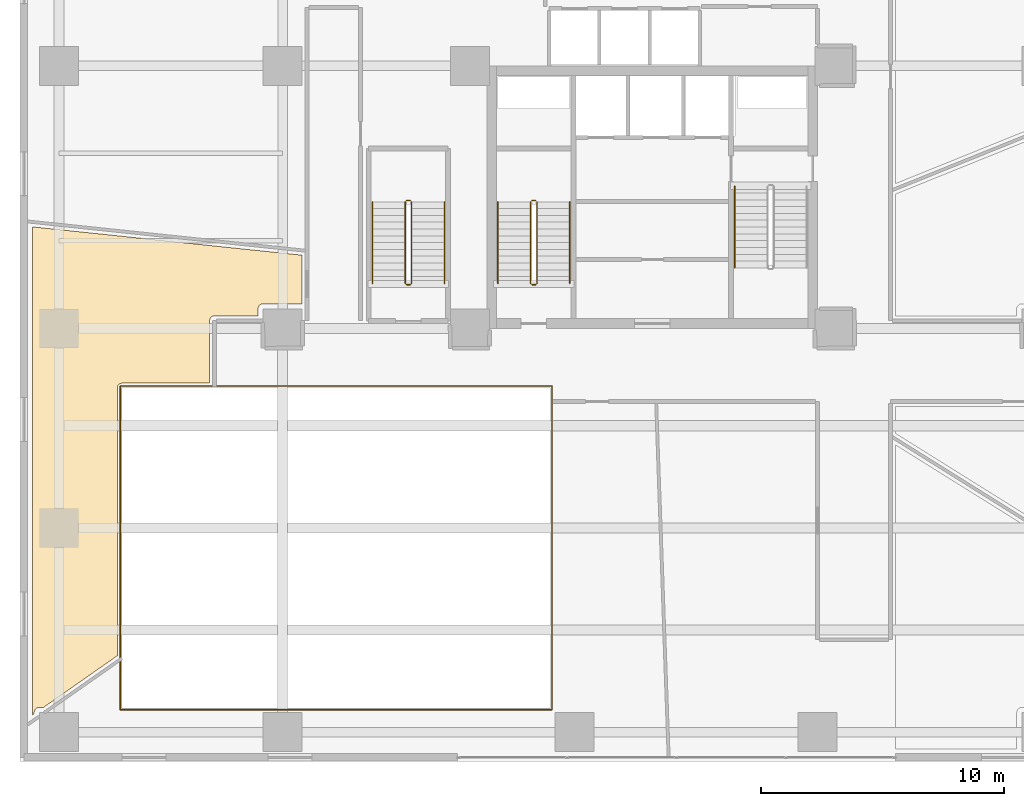
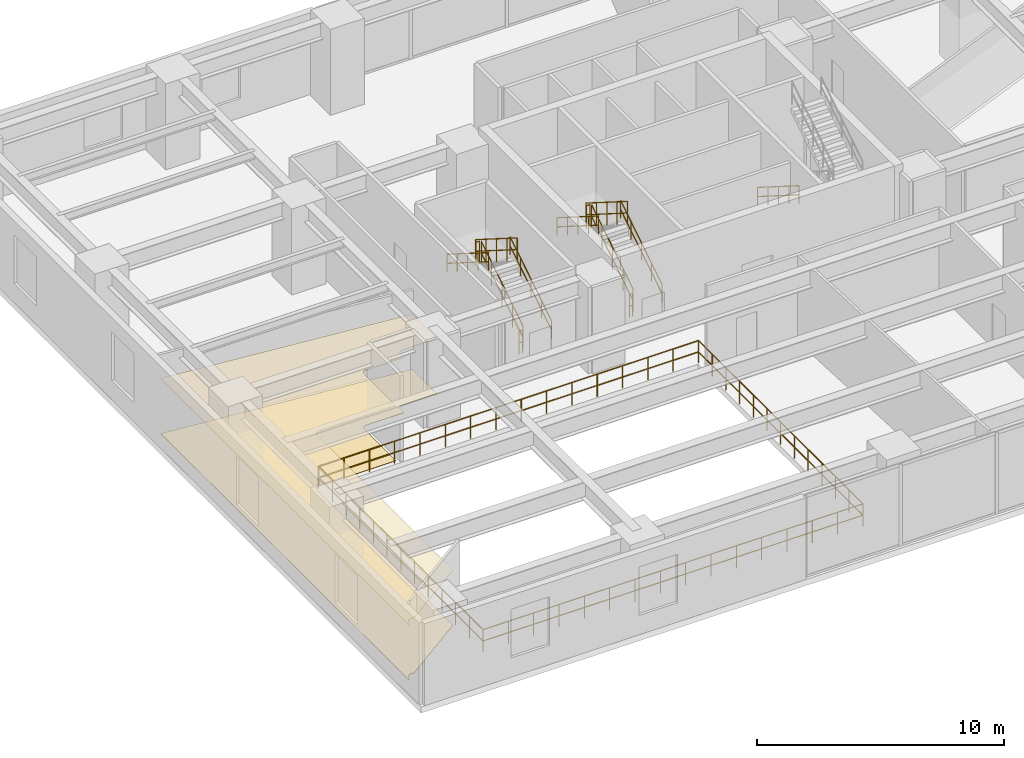
# One storey, part 23 of 25: 17 railings, 2 coverings.
"""IFC4 building model written with IfcOpenShell, lengths in metres."""

from ifc_helpers import new_model, si_unit, direction, frame, origin, origin_2d, place, context, subcontext, project, spatial, polyline, circle, outline, extrude, material, layer, layer_set, type_object, element, save


model = new_model("IFC4")

# Units and contexts
model_context = context("Model", 3, precision=1e-05, world=origin(), true_north=direction((0.0, 1.0)))
body_context = subcontext(model_context, "Body", "Model", "MODEL_VIEW")
ifc_project = project(units=[si_unit("LENGTHUNIT", "METRE"), si_unit("AREAUNIT", "SQUARE_METRE"), si_unit("VOLUMEUNIT", "CUBIC_METRE"), si_unit("PLANEANGLEUNIT", "RADIAN"), si_unit("MASSUNIT", "GRAM", prefix="KILO")], contexts=[model_context])

# Site, building, storey
site_placement = place(None, origin())
site = spatial("IfcSite", under=ifc_project, at=site_placement, CompositionType="ELEMENT")
building_placement = place(site_placement, origin())
building = spatial("IfcBuilding", under=site, at=building_placement, Name="Talar Marvaseh", CompositionType="ELEMENT")
storey_placement = place(building_placement, frame((0.0, 0.0, 14.39990234375)))
storey = spatial("IfcBuildingStorey", under=building, at=storey_placement, Name="L03", CompositionType="ELEMENT", Elevation=14.39990234375)

# Railings
ifc_material_1 = material(Name="Stainless Steel Grade 316", Category="steel")
railing_type_1 = type_object("IfcRailingType", Name="Brushed Stainless Wall Pitch Handrail 900", PredefinedType="HANDRAIL", material=ifc_material_1)
railing_1_placement = place(storey_placement, frame((22.610107421875, 27.64990234375, 0.177001953125)))
element("IfcRailing", 1, at=railing_1_placement, inside=storey, type_object=railing_type_1, Name="L03 ST-1 stair handrail 1", PredefinedType="HANDRAIL", context=body_context, shape_type="SweptSolid", body=[
    extrude(circle(Radius=0.02392578125, at=origin_2d()), frame((0.0, 0.0, 0.8759765625), z_axis=(0.0, 0.845389635667, 0.534150132366), x_axis=(-1.0, 0.0, 0.0)), (0.0, 0.0, 1.0), 3.974609375),
    extrude(circle(Radius=0.02392578125, at=origin_2d()), frame((0.0, 0.0, 0.42578125), z_axis=(0.0, 0.845389635667, 0.534150132366), x_axis=(-1.0, 0.0, 0.0)), (0.0, 0.0, 1.0), 3.974609375),
    extrude(circle(Radius=0.02099609375, at=origin_2d()), origin(), (0.0, 0.0, 1.0), 0.851806640625),
    extrude(circle(Radius=0.02099609375, at=origin_2d()), frame((0.0, 0.840087890625, 0.53076171875)), (0.0, 0.0, 1.0), 0.851806640625),
    extrude(circle(Radius=0.02099609375, at=origin_2d()), frame((0.0, 1.68017578125, 1.0615234375)), (0.0, 0.0, 1.0), 0.851806640625),
    extrude(circle(Radius=0.02099609375, at=origin_2d()), frame((0.0, 2.52001953125, 1.59228515625)), (0.0, 0.0, 1.0), 0.851806640625),
    extrude(circle(Radius=0.02099609375, at=origin_2d()), frame((0.0, 3.360107421875, 2.123046875)), (0.0, 0.0, 1.0), 0.851806640625),
])
railing_2_placement = place(storey_placement, frame((19.64990234375, 31.010009765625, 2.47705078125)))
element("IfcRailing", 2, at=railing_2_placement, inside=storey, type_object=railing_type_1, Name="L03 ST-1 stair handrail 2", PredefinedType="HANDRAIL", context=body_context, shape_type="SweptSolid", body=[
    extrude(circle(Radius=0.02392578125, at=origin_2d()), frame((0.0, 0.0, 0.8759765625), z_axis=(0.0, -0.845389635667, 0.534150132366), x_axis=(1.0, 0.0, 0.0)), (0.0, 0.0, 1.0), 3.974609375),
    extrude(circle(Radius=0.02392578125, at=origin_2d()), frame((0.0, 0.0, 0.42578125), z_axis=(0.0, -0.845389635667, 0.534150132366), x_axis=(1.0, 0.0, 0.0)), (0.0, 0.0, 1.0), 3.974609375),
    extrude(circle(Radius=0.02099609375, at=origin_2d()), origin(), (0.0, 0.0, 1.0), 0.851806640625),
    extrude(circle(Radius=0.02099609375, at=origin_2d()), frame((0.0, -0.840087890625, 0.53076171875)), (0.0, 0.0, 1.0), 0.851806640625),
    extrude(circle(Radius=0.02099609375, at=origin_2d()), frame((0.0, -1.68017578125, 1.0615234375)), (0.0, 0.0, 1.0), 0.851806640625),
    extrude(circle(Radius=0.02099609375, at=origin_2d()), frame((0.0, -2.52001953125, 1.59228515625)), (0.0, 0.0, 1.0), 0.851806640625),
    extrude(circle(Radius=0.02099609375, at=origin_2d()), frame((0.0, -3.360107421875, 2.123046875)), (0.0, 0.0, 1.0), 0.851806640625),
])
railing_3_placement = place(storey_placement, frame((29.389892578125, 31.64990234375, 0.177001953125)))
element("IfcRailing", 3, at=railing_3_placement, inside=storey, type_object=railing_type_1, Name="L03 ST-2 stair handrail 1", PredefinedType="HANDRAIL", context=body_context, shape_type="SweptSolid", body=[
    extrude(circle(Radius=0.02392578125, at=origin_2d()), frame((0.0, 0.0, 0.8759765625), z_axis=(0.0, -0.845372108799, 0.534177870812), x_axis=(1.0, 0.0, 0.0)), (0.0, 0.0, 1.0), 3.974365234375),
    extrude(circle(Radius=0.02392578125, at=origin_2d()), frame((0.0, 0.0, 0.42578125), z_axis=(0.0, -0.845372108799, 0.534177870812), x_axis=(1.0, 0.0, 0.0)), (0.0, 0.0, 1.0), 3.974365234375),
    extrude(circle(Radius=0.02099609375, at=origin_2d()), origin(), (0.0, 0.0, 1.0), 0.851806640625),
    extrude(circle(Radius=0.02099609375, at=origin_2d()), frame((0.0, -0.83984375, 0.53076171875)), (0.0, 0.0, 1.0), 0.851806640625),
    extrude(circle(Radius=0.02099609375, at=origin_2d()), frame((0.0, -1.679931640625, 1.0615234375)), (0.0, 0.0, 1.0), 0.851806640625),
    extrude(circle(Radius=0.02099609375, at=origin_2d()), frame((0.0, -2.52001953125, 1.59228515625)), (0.0, 0.0, 1.0), 0.851806640625),
    extrude(circle(Radius=0.02099609375, at=origin_2d()), frame((0.0, -3.35986328125, 2.123046875)), (0.0, 0.0, 1.0), 0.851806640625),
])
railing_4_placement = place(storey_placement, frame((17.449951171875, 27.64990234375, 0.177001953125)))
element("IfcRailing", 4, at=railing_4_placement, inside=storey, type_object=railing_type_1, Name="L03 ST-3 stair handrail 1", PredefinedType="HANDRAIL", context=body_context, shape_type="SweptSolid", body=[
    extrude(circle(Radius=0.02392578125, at=origin_2d()), frame((0.0, 0.0, 0.8759765625), z_axis=(0.0, 0.845389635667, 0.534150132366), x_axis=(-1.0, 0.0, 0.0)), (0.0, 0.0, 1.0), 3.974609375),
    extrude(circle(Radius=0.02392578125, at=origin_2d()), frame((0.0, 0.0, 0.42578125), z_axis=(0.0, 0.845389635667, 0.534150132366), x_axis=(-1.0, 0.0, 0.0)), (0.0, 0.0, 1.0), 3.974609375),
    extrude(circle(Radius=0.02099609375, at=origin_2d()), origin(), (0.0, 0.0, 1.0), 0.851806640625),
    extrude(circle(Radius=0.02099609375, at=origin_2d()), frame((0.0, 0.840087890625, 0.53076171875)), (0.0, 0.0, 1.0), 0.851806640625),
    extrude(circle(Radius=0.02099609375, at=origin_2d()), frame((0.0, 1.68017578125, 1.0615234375)), (0.0, 0.0, 1.0), 0.851806640625),
    extrude(circle(Radius=0.02099609375, at=origin_2d()), frame((0.0, 2.52001953125, 1.59228515625)), (0.0, 0.0, 1.0), 0.851806640625),
    extrude(circle(Radius=0.02099609375, at=origin_2d()), frame((0.0, 3.360107421875, 2.123046875)), (0.0, 0.0, 1.0), 0.851806640625),
])
railing_5_placement = place(storey_placement, frame((14.489990234375, 31.010009765625, 2.47705078125)))
element("IfcRailing", 5, at=railing_5_placement, inside=storey, type_object=railing_type_1, Name="L03 ST-3 stair handrail 2", PredefinedType="HANDRAIL", context=body_context, shape_type="SweptSolid", body=[
    extrude(circle(Radius=0.02392578125, at=origin_2d()), frame((0.0, 0.0, 0.8759765625), z_axis=(0.0, -0.845389635667, 0.534150132366), x_axis=(1.0, 0.0, 0.0)), (0.0, 0.0, 1.0), 3.974609375),
    extrude(circle(Radius=0.02392578125, at=origin_2d()), frame((0.0, 0.0, 0.42578125), z_axis=(0.0, -0.845389635667, 0.534150132366), x_axis=(1.0, 0.0, 0.0)), (0.0, 0.0, 1.0), 3.974609375),
    extrude(circle(Radius=0.02099609375, at=origin_2d()), origin(), (0.0, 0.0, 1.0), 0.851806640625),
    extrude(circle(Radius=0.02099609375, at=origin_2d()), frame((0.0, -0.840087890625, 0.53076171875)), (0.0, 0.0, 1.0), 0.851806640625),
    extrude(circle(Radius=0.02099609375, at=origin_2d()), frame((0.0, -1.68017578125, 1.0615234375)), (0.0, 0.0, 1.0), 0.851806640625),
    extrude(circle(Radius=0.02099609375, at=origin_2d()), frame((0.0, -2.52001953125, 1.59228515625)), (0.0, 0.0, 1.0), 0.851806640625),
    extrude(circle(Radius=0.02099609375, at=origin_2d()), frame((0.0, -3.360107421875, 2.123046875)), (0.0, 0.0, 1.0), 0.851806640625),
])
ifc_material_2 = material(Name="Tempered Clear Glass", Category="glass")
railing_type_2 = type_object("IfcRailingType", Name="Interior Atrium Edge Balustrade 1120", PredefinedType="BALUSTRADE", material=ifc_material_2)
railing_6_placement = place(storey_placement, frame((4.1201171875, 10.1201171875, 0.0)))
element("IfcRailing", 6, at=railing_6_placement, inside=storey, type_object=railing_type_2, Name="L03 Auditorium Void Balustrade 1", PredefinedType="BALUSTRADE", context=body_context, shape_type="SweptSolid", body=[
    extrude(circle(Radius=0.02392578125, at=origin_2d()), frame((0.0, 0.0, 1.09619140625), z_axis=(1.0, 0.0, 0.0), x_axis=(0.0, 1.0, 0.0)), (0.0, 0.0, 1.0), 17.759765625),
    extrude(circle(Radius=0.02392578125, at=origin_2d()), frame((0.0, 0.0, 0.5361328125), z_axis=(1.0, 0.0, 0.0), x_axis=(0.0, 1.0, 0.0)), (0.0, 0.0, 1.0), 17.759765625),
    extrude(circle(Radius=0.02099609375, at=origin_2d()), origin(), (0.0, 0.0, 1.0), 1.072021484375),
    extrude(circle(Radius=0.02099609375, at=origin_2d()), frame((1.18408203125, 0.0, 0.0)), (0.0, 0.0, 1.0), 1.072021484375),
    extrude(circle(Radius=0.02099609375, at=origin_2d()), frame((2.367919921875, 0.0, 0.0)), (0.0, 0.0, 1.0), 1.072021484375),
    extrude(circle(Radius=0.02099609375, at=origin_2d()), frame((3.552001953125, 0.0, 0.0)), (0.0, 0.0, 1.0), 1.072021484375),
    extrude(circle(Radius=0.02099609375, at=origin_2d()), frame((4.73583984375, 0.0, 0.0)), (0.0, 0.0, 1.0), 1.072021484375),
    extrude(circle(Radius=0.02099609375, at=origin_2d()), frame((5.919921875, 0.0, 0.0)), (0.0, 0.0, 1.0), 1.072021484375),
    extrude(circle(Radius=0.02099609375, at=origin_2d()), frame((7.10400390625, 0.0, 0.0)), (0.0, 0.0, 1.0), 1.072021484375),
    extrude(circle(Radius=0.02099609375, at=origin_2d()), frame((8.287841796875, 0.0, 0.0)), (0.0, 0.0, 1.0), 1.072021484375),
    extrude(circle(Radius=0.02099609375, at=origin_2d()), frame((9.471923828125, 0.0, 0.0)), (0.0, 0.0, 1.0), 1.072021484375),
    extrude(circle(Radius=0.02099609375, at=origin_2d()), frame((10.65576171875, 0.0, 0.0)), (0.0, 0.0, 1.0), 1.072021484375),
    extrude(circle(Radius=0.02099609375, at=origin_2d()), frame((11.83984375, 0.0, 0.0)), (0.0, 0.0, 1.0), 1.072021484375),
    extrude(circle(Radius=0.02099609375, at=origin_2d()), frame((13.02392578125, 0.0, 0.0)), (0.0, 0.0, 1.0), 1.072021484375),
    extrude(circle(Radius=0.02099609375, at=origin_2d()), frame((14.207763671875, 0.0, 0.0)), (0.0, 0.0, 1.0), 1.072021484375),
    extrude(circle(Radius=0.02099609375, at=origin_2d()), frame((15.391845703125, 0.0, 0.0)), (0.0, 0.0, 1.0), 1.072021484375),
    extrude(circle(Radius=0.02099609375, at=origin_2d()), frame((16.57568359375, 0.0, 0.0)), (0.0, 0.0, 1.0), 1.072021484375),
    extrude(circle(Radius=0.02099609375, at=origin_2d()), frame((17.759765625, 0.0, 0.0)), (0.0, 0.0, 1.0), 1.072021484375),
])
railing_7_placement = place(storey_placement, frame((21.8798828125, 10.1201171875, 0.0)))
element("IfcRailing", 7, at=railing_7_placement, inside=storey, type_object=railing_type_2, Name="L03 Auditorium Void Balustrade 2", PredefinedType="BALUSTRADE", context=body_context, shape_type="SweptSolid", body=[
    extrude(circle(Radius=0.02392578125, at=origin_2d()), frame((0.0, 0.0, 1.09619140625), z_axis=(0.0, 1.0, 0.0), x_axis=(-1.0, 0.0, 0.0)), (0.0, 0.0, 1.0), 13.309814453125),
    extrude(circle(Radius=0.02392578125, at=origin_2d()), frame((0.0, 0.0, 0.5361328125), z_axis=(0.0, 1.0, 0.0), x_axis=(-1.0, 0.0, 0.0)), (0.0, 0.0, 1.0), 13.309814453125),
    extrude(circle(Radius=0.02099609375, at=origin_2d()), origin(), (0.0, 0.0, 1.0), 1.072021484375),
    extrude(circle(Radius=0.02099609375, at=origin_2d()), frame((0.0, 1.109130859375, 0.0)), (0.0, 0.0, 1.0), 1.072021484375),
    extrude(circle(Radius=0.02099609375, at=origin_2d()), frame((0.0, 2.21826171875, 0.0)), (0.0, 0.0, 1.0), 1.072021484375),
    extrude(circle(Radius=0.02099609375, at=origin_2d()), frame((0.0, 3.327392578125, 0.0)), (0.0, 0.0, 1.0), 1.072021484375),
    extrude(circle(Radius=0.02099609375, at=origin_2d()), frame((0.0, 4.4365234375, 0.0)), (0.0, 0.0, 1.0), 1.072021484375),
    extrude(circle(Radius=0.02099609375, at=origin_2d()), frame((0.0, 5.545654296875, 0.0)), (0.0, 0.0, 1.0), 1.072021484375),
    extrude(circle(Radius=0.02099609375, at=origin_2d()), frame((0.0, 6.65478515625, 0.0)), (0.0, 0.0, 1.0), 1.072021484375),
    extrude(circle(Radius=0.02099609375, at=origin_2d()), frame((0.0, 7.76416015625, 0.0)), (0.0, 0.0, 1.0), 1.072021484375),
    extrude(circle(Radius=0.02099609375, at=origin_2d()), frame((0.0, 8.873291015625, 0.0)), (0.0, 0.0, 1.0), 1.072021484375),
    extrude(circle(Radius=0.02099609375, at=origin_2d()), frame((0.0, 9.982421875, 0.0)), (0.0, 0.0, 1.0), 1.072021484375),
    extrude(circle(Radius=0.02099609375, at=origin_2d()), frame((0.0, 11.091552734375, 0.0)), (0.0, 0.0, 1.0), 1.072021484375),
    extrude(circle(Radius=0.02099609375, at=origin_2d()), frame((0.0, 12.20068359375, 0.0)), (0.0, 0.0, 1.0), 1.072021484375),
    extrude(circle(Radius=0.02099609375, at=origin_2d()), frame((0.0, 13.309814453125, 0.0)), (0.0, 0.0, 1.0), 1.072021484375),
])
railing_8_placement = place(storey_placement, frame((21.8798828125, 23.429931640625, 0.0)))
element("IfcRailing", 8, at=railing_8_placement, inside=storey, type_object=railing_type_2, Name="L03 Auditorium Void Balustrade 3", PredefinedType="BALUSTRADE", context=body_context, shape_type="SweptSolid", body=[
    extrude(circle(Radius=0.02392578125, at=origin_2d()), frame((0.0, 0.0, 1.09619140625), z_axis=(-1.0, 0.0, 0.0), x_axis=(0.0, -1.0, 0.0)), (0.0, 0.0, 1.0), 17.759765625),
    extrude(circle(Radius=0.02392578125, at=origin_2d()), frame((0.0, 0.0, 0.5361328125), z_axis=(-1.0, 0.0, 0.0), x_axis=(0.0, -1.0, 0.0)), (0.0, 0.0, 1.0), 17.759765625),
    extrude(circle(Radius=0.02099609375, at=origin_2d()), origin(), (0.0, 0.0, 1.0), 1.072021484375),
    extrude(circle(Radius=0.02099609375, at=origin_2d()), frame((-1.18408203125, 0.0, 0.0)), (0.0, 0.0, 1.0), 1.072021484375),
    extrude(circle(Radius=0.02099609375, at=origin_2d()), frame((-2.367919921875, 0.0, 0.0)), (0.0, 0.0, 1.0), 1.072021484375),
    extrude(circle(Radius=0.02099609375, at=origin_2d()), frame((-3.552001953125, 0.0, 0.0)), (0.0, 0.0, 1.0), 1.072021484375),
    extrude(circle(Radius=0.02099609375, at=origin_2d()), frame((-4.73583984375, 0.0, 0.0)), (0.0, 0.0, 1.0), 1.072021484375),
    extrude(circle(Radius=0.02099609375, at=origin_2d()), frame((-5.919921875, 0.0, 0.0)), (0.0, 0.0, 1.0), 1.072021484375),
    extrude(circle(Radius=0.02099609375, at=origin_2d()), frame((-7.10400390625, 0.0, 0.0)), (0.0, 0.0, 1.0), 1.072021484375),
    extrude(circle(Radius=0.02099609375, at=origin_2d()), frame((-8.287841796875, 0.0, 0.0)), (0.0, 0.0, 1.0), 1.072021484375),
    extrude(circle(Radius=0.02099609375, at=origin_2d()), frame((-9.471923828125, 0.0, 0.0)), (0.0, 0.0, 1.0), 1.072021484375),
    extrude(circle(Radius=0.02099609375, at=origin_2d()), frame((-10.65576171875, 0.0, 0.0)), (0.0, 0.0, 1.0), 1.072021484375),
    extrude(circle(Radius=0.02099609375, at=origin_2d()), frame((-11.83984375, 0.0, 0.0)), (0.0, 0.0, 1.0), 1.072021484375),
    extrude(circle(Radius=0.02099609375, at=origin_2d()), frame((-13.02392578125, 0.0, 0.0)), (0.0, 0.0, 1.0), 1.072021484375),
    extrude(circle(Radius=0.02099609375, at=origin_2d()), frame((-14.207763671875, 0.0, 0.0)), (0.0, 0.0, 1.0), 1.072021484375),
    extrude(circle(Radius=0.02099609375, at=origin_2d()), frame((-15.391845703125, 0.0, 0.0)), (0.0, 0.0, 1.0), 1.072021484375),
    extrude(circle(Radius=0.02099609375, at=origin_2d()), frame((-16.57568359375, 0.0, 0.0)), (0.0, 0.0, 1.0), 1.072021484375),
    extrude(circle(Radius=0.02099609375, at=origin_2d()), frame((-17.759765625, 0.0, 0.0)), (0.0, 0.0, 1.0), 1.072021484375),
])
railing_9_placement = place(storey_placement, frame((4.1201171875, 23.429931640625, 0.0)))
element("IfcRailing", 9, at=railing_9_placement, inside=storey, type_object=railing_type_2, Name="L03 Auditorium Void Balustrade 4", PredefinedType="BALUSTRADE", context=body_context, shape_type="SweptSolid", body=[
    extrude(circle(Radius=0.02392578125, at=origin_2d()), frame((0.0, 0.0, 1.09619140625), z_axis=(0.0, -1.0, 0.0), x_axis=(1.0, 0.0, 0.0)), (0.0, 0.0, 1.0), 13.309814453125),
    extrude(circle(Radius=0.02392578125, at=origin_2d()), frame((0.0, 0.0, 0.5361328125), z_axis=(0.0, -1.0, 0.0), x_axis=(1.0, 0.0, 0.0)), (0.0, 0.0, 1.0), 13.309814453125),
    extrude(circle(Radius=0.02099609375, at=origin_2d()), origin(), (0.0, 0.0, 1.0), 1.072021484375),
    extrude(circle(Radius=0.02099609375, at=origin_2d()), frame((0.0, -1.109130859375, 0.0)), (0.0, 0.0, 1.0), 1.072021484375),
    extrude(circle(Radius=0.02099609375, at=origin_2d()), frame((0.0, -2.21826171875, 0.0)), (0.0, 0.0, 1.0), 1.072021484375),
    extrude(circle(Radius=0.02099609375, at=origin_2d()), frame((0.0, -3.327392578125, 0.0)), (0.0, 0.0, 1.0), 1.072021484375),
    extrude(circle(Radius=0.02099609375, at=origin_2d()), frame((0.0, -4.4365234375, 0.0)), (0.0, 0.0, 1.0), 1.072021484375),
    extrude(circle(Radius=0.02099609375, at=origin_2d()), frame((0.0, -5.545654296875, 0.0)), (0.0, 0.0, 1.0), 1.072021484375),
    extrude(circle(Radius=0.02099609375, at=origin_2d()), frame((0.0, -6.65478515625, 0.0)), (0.0, 0.0, 1.0), 1.072021484375),
    extrude(circle(Radius=0.02099609375, at=origin_2d()), frame((0.0, -7.76416015625, 0.0)), (0.0, 0.0, 1.0), 1.072021484375),
    extrude(circle(Radius=0.02099609375, at=origin_2d()), frame((0.0, -8.873291015625, 0.0)), (0.0, 0.0, 1.0), 1.072021484375),
    extrude(circle(Radius=0.02099609375, at=origin_2d()), frame((0.0, -9.982421875, 0.0)), (0.0, 0.0, 1.0), 1.072021484375),
    extrude(circle(Radius=0.02099609375, at=origin_2d()), frame((0.0, -11.091552734375, 0.0)), (0.0, 0.0, 1.0), 1.072021484375),
    extrude(circle(Radius=0.02099609375, at=origin_2d()), frame((0.0, -12.20068359375, 0.0)), (0.0, 0.0, 1.0), 1.072021484375),
    extrude(circle(Radius=0.02099609375, at=origin_2d()), frame((0.0, -13.309814453125, 0.0)), (0.0, 0.0, 1.0), 1.072021484375),
])
railing_type_3 = type_object("IfcRailingType", Name="Painted Steel Core Stair Well Guardrail 1150", PredefinedType="GUARDRAIL", material=ifc_material_1)
railing_10_placement = place(storey_placement, frame((21.260009765625, 27.64990234375, 0.177001953125)))
element("IfcRailing", 10, at=railing_10_placement, inside=storey, type_object=railing_type_3, Name="L03 ST-1 stair guard 1", PredefinedType="GUARDRAIL", context=body_context, shape_type="SweptSolid", body=[
    extrude(circle(Radius=0.02392578125, at=origin_2d()), frame((0.0, 0.0, 1.1259765625), z_axis=(0.0, 0.845389635667, 0.534150132366), x_axis=(-1.0, 0.0, 0.0)), (0.0, 0.0, 1.0), 3.974609375),
    extrude(circle(Radius=0.02392578125, at=origin_2d()), frame((0.0, 0.0, 0.55078125), z_axis=(0.0, 0.845389635667, 0.534150132366), x_axis=(-1.0, 0.0, 0.0)), (0.0, 0.0, 1.0), 3.974609375),
    extrude(circle(Radius=0.02099609375, at=origin_2d()), origin(), (0.0, 0.0, 1.0), 1.101806640625),
    extrude(circle(Radius=0.02099609375, at=origin_2d()), frame((0.0, 0.840087890625, 0.53076171875)), (0.0, 0.0, 1.0), 1.101806640625),
    extrude(circle(Radius=0.02099609375, at=origin_2d()), frame((0.0, 1.68017578125, 1.0615234375)), (0.0, 0.0, 1.0), 1.101806640625),
    extrude(circle(Radius=0.02099609375, at=origin_2d()), frame((0.0, 2.52001953125, 1.59228515625)), (0.0, 0.0, 1.0), 1.101806640625),
    extrude(circle(Radius=0.02099609375, at=origin_2d()), frame((0.0, 3.360107421875, 2.123046875)), (0.0, 0.0, 1.0), 1.101806640625),
])
railing_11_placement = place(storey_placement, frame((21.2099609375, 31.06005859375, 2.300048828125)))
element("IfcRailing", 11, at=railing_11_placement, inside=storey, type_object=railing_type_3, Name="L03 ST-1 stair guard 2", PredefinedType="GUARDRAIL", context=body_context, shape_type="SweptSolid", body=[
    extrude(circle(Radius=0.02392578125, at=origin_2d()), frame((0.0, 0.0, 1.1259765625), z_axis=(-1.0, 0.0, 0.0), x_axis=(0.0, -1.0, 0.0)), (0.0, 0.0, 1.0), 0.159912109375),
    extrude(circle(Radius=0.02392578125, at=origin_2d()), frame((0.0, 0.0, 0.55078125), z_axis=(-1.0, 0.0, 0.0), x_axis=(0.0, -1.0, 0.0)), (0.0, 0.0, 1.0), 0.159912109375),
    extrude(circle(Radius=0.02099609375, at=origin_2d()), origin(), (0.0, 0.0, 1.0), 1.101806640625),
    extrude(circle(Radius=0.02099609375, at=origin_2d()), frame((-0.159912109375, 0.0, 0.0)), (0.0, 0.0, 1.0), 1.101806640625),
])
railing_12_placement = place(storey_placement, frame((21.0, 31.010009765625, 2.47705078125)))
element("IfcRailing", 12, at=railing_12_placement, inside=storey, type_object=railing_type_3, Name="L03 ST-1 stair guard 3", PredefinedType="GUARDRAIL", context=body_context, shape_type="SweptSolid", body=[
    extrude(circle(Radius=0.02392578125, at=origin_2d()), frame((0.0, 0.0, 1.1259765625), z_axis=(0.0, -0.845389635667, 0.534150132366), x_axis=(1.0, 0.0, 0.0)), (0.0, 0.0, 1.0), 3.974609375),
    extrude(circle(Radius=0.02392578125, at=origin_2d()), frame((0.0, 0.0, 0.55078125), z_axis=(0.0, -0.845389635667, 0.534150132366), x_axis=(1.0, 0.0, 0.0)), (0.0, 0.0, 1.0), 3.974609375),
    extrude(circle(Radius=0.02099609375, at=origin_2d()), origin(), (0.0, 0.0, 1.0), 1.101806640625),
    extrude(circle(Radius=0.02099609375, at=origin_2d()), frame((0.0, -0.840087890625, 0.53076171875)), (0.0, 0.0, 1.0), 1.101806640625),
    extrude(circle(Radius=0.02099609375, at=origin_2d()), frame((0.0, -1.68017578125, 1.0615234375)), (0.0, 0.0, 1.0), 1.101806640625),
    extrude(circle(Radius=0.02099609375, at=origin_2d()), frame((0.0, -2.52001953125, 1.59228515625)), (0.0, 0.0, 1.0), 1.101806640625),
    extrude(circle(Radius=0.02099609375, at=origin_2d()), frame((0.0, -3.360107421875, 2.123046875)), (0.0, 0.0, 1.0), 1.101806640625),
])
railing_13_placement = place(storey_placement, frame((21.2099609375, 27.60009765625, 0.0)))
element("IfcRailing", 13, at=railing_13_placement, inside=storey, type_object=railing_type_3, Name="L03 ST-1 stair guard 4", PredefinedType="GUARDRAIL", context=body_context, shape_type="SweptSolid", body=[
    extrude(circle(Radius=0.02392578125, at=origin_2d()), frame((0.0, 0.0, 1.1259765625), z_axis=(-1.0, 0.0, 0.0), x_axis=(0.0, -1.0, 0.0)), (0.0, 0.0, 1.0), 0.159912109375),
    extrude(circle(Radius=0.02392578125, at=origin_2d()), frame((0.0, 0.0, 0.55078125), z_axis=(-1.0, 0.0, 0.0), x_axis=(0.0, -1.0, 0.0)), (0.0, 0.0, 1.0), 0.159912109375),
    extrude(circle(Radius=0.02099609375, at=origin_2d()), origin(), (0.0, 0.0, 1.0), 1.101806640625),
    extrude(circle(Radius=0.02099609375, at=origin_2d()), frame((-0.159912109375, 0.0, 0.0)), (0.0, 0.0, 1.0), 1.101806640625),
])
railing_14_placement = place(storey_placement, frame((16.10009765625, 27.64990234375, 0.177001953125)))
element("IfcRailing", 14, at=railing_14_placement, inside=storey, type_object=railing_type_3, Name="L03 ST-3 stair guard 1", PredefinedType="GUARDRAIL", context=body_context, shape_type="SweptSolid", body=[
    extrude(circle(Radius=0.02392578125, at=origin_2d()), frame((0.0, 0.0, 1.1259765625), z_axis=(0.0, 0.845389635667, 0.534150132366), x_axis=(-1.0, 0.0, 0.0)), (0.0, 0.0, 1.0), 3.974609375),
    extrude(circle(Radius=0.02392578125, at=origin_2d()), frame((0.0, 0.0, 0.55078125), z_axis=(0.0, 0.845389635667, 0.534150132366), x_axis=(-1.0, 0.0, 0.0)), (0.0, 0.0, 1.0), 3.974609375),
    extrude(circle(Radius=0.02099609375, at=origin_2d()), origin(), (0.0, 0.0, 1.0), 1.101806640625),
    extrude(circle(Radius=0.02099609375, at=origin_2d()), frame((0.0, 0.840087890625, 0.53076171875)), (0.0, 0.0, 1.0), 1.101806640625),
    extrude(circle(Radius=0.02099609375, at=origin_2d()), frame((0.0, 1.68017578125, 1.0615234375)), (0.0, 0.0, 1.0), 1.101806640625),
    extrude(circle(Radius=0.02099609375, at=origin_2d()), frame((0.0, 2.52001953125, 1.59228515625)), (0.0, 0.0, 1.0), 1.101806640625),
    extrude(circle(Radius=0.02099609375, at=origin_2d()), frame((0.0, 3.360107421875, 2.123046875)), (0.0, 0.0, 1.0), 1.101806640625),
])
railing_15_placement = place(storey_placement, frame((16.050048828125, 31.06005859375, 2.300048828125)))
element("IfcRailing", 15, at=railing_15_placement, inside=storey, type_object=railing_type_3, Name="L03 ST-3 stair guard 2", PredefinedType="GUARDRAIL", context=body_context, shape_type="SweptSolid", body=[
    extrude(circle(Radius=0.02392578125, at=origin_2d()), frame((0.0, 0.0, 1.1259765625), z_axis=(-1.0, 0.0, 0.0), x_axis=(0.0, -1.0, 0.0)), (0.0, 0.0, 1.0), 0.16015625),
    extrude(circle(Radius=0.02392578125, at=origin_2d()), frame((0.0, 0.0, 0.55078125), z_axis=(-1.0, 0.0, 0.0), x_axis=(0.0, -1.0, 0.0)), (0.0, 0.0, 1.0), 0.16015625),
    extrude(circle(Radius=0.02099609375, at=origin_2d()), origin(), (0.0, 0.0, 1.0), 1.101806640625),
    extrude(circle(Radius=0.02099609375, at=origin_2d()), frame((-0.16015625, 0.0, 0.0)), (0.0, 0.0, 1.0), 1.101806640625),
])
railing_16_placement = place(storey_placement, frame((15.840087890625, 31.010009765625, 2.47705078125)))
element("IfcRailing", 16, at=railing_16_placement, inside=storey, type_object=railing_type_3, Name="L03 ST-3 stair guard 3", PredefinedType="GUARDRAIL", context=body_context, shape_type="SweptSolid", body=[
    extrude(circle(Radius=0.02392578125, at=origin_2d()), frame((0.0, 0.0, 1.1259765625), z_axis=(0.0, -0.845389635667, 0.534150132366), x_axis=(1.0, 0.0, 0.0)), (0.0, 0.0, 1.0), 3.974609375),
    extrude(circle(Radius=0.02392578125, at=origin_2d()), frame((0.0, 0.0, 0.55078125), z_axis=(0.0, -0.845389635667, 0.534150132366), x_axis=(1.0, 0.0, 0.0)), (0.0, 0.0, 1.0), 3.974609375),
    extrude(circle(Radius=0.02099609375, at=origin_2d()), origin(), (0.0, 0.0, 1.0), 1.101806640625),
    extrude(circle(Radius=0.02099609375, at=origin_2d()), frame((0.0, -0.840087890625, 0.53076171875)), (0.0, 0.0, 1.0), 1.101806640625),
    extrude(circle(Radius=0.02099609375, at=origin_2d()), frame((0.0, -1.68017578125, 1.0615234375)), (0.0, 0.0, 1.0), 1.101806640625),
    extrude(circle(Radius=0.02099609375, at=origin_2d()), frame((0.0, -2.52001953125, 1.59228515625)), (0.0, 0.0, 1.0), 1.101806640625),
    extrude(circle(Radius=0.02099609375, at=origin_2d()), frame((0.0, -3.360107421875, 2.123046875)), (0.0, 0.0, 1.0), 1.101806640625),
])
railing_17_placement = place(storey_placement, frame((16.050048828125, 27.60009765625, 0.0)))
element("IfcRailing", 17, at=railing_17_placement, inside=storey, type_object=railing_type_3, Name="L03 ST-3 stair guard 4", PredefinedType="GUARDRAIL", context=body_context, shape_type="SweptSolid", body=[
    extrude(circle(Radius=0.02392578125, at=origin_2d()), frame((0.0, 0.0, 1.1259765625), z_axis=(-1.0, 0.0, 0.0), x_axis=(0.0, -1.0, 0.0)), (0.0, 0.0, 1.0), 0.16015625),
    extrude(circle(Radius=0.02392578125, at=origin_2d()), frame((0.0, 0.0, 0.55078125), z_axis=(-1.0, 0.0, 0.0), x_axis=(0.0, -1.0, 0.0)), (0.0, 0.0, 1.0), 0.16015625),
    extrude(circle(Radius=0.02099609375, at=origin_2d()), origin(), (0.0, 0.0, 1.0), 1.101806640625),
    extrude(circle(Radius=0.02099609375, at=origin_2d()), frame((-0.16015625, 0.0, 0.0)), (0.0, 0.0, 1.0), 1.101806640625),
])

# Coverings
ifc_material_3 = material(Name="Mineral Fibre Acoustic Ceiling")
ifc_layer_1 = layer(ifc_material_3, 0.02490234375)
ifc_layer_set_1 = layer_set([ifc_layer_1], Name="Mineral Fibre Acoustic Ceiling")
covering_type_1 = type_object("IfcCoveringType", Name="Perforated Mineral Fibre Acoustic Suspended Ceiling", PredefinedType="CEILING", material=ifc_layer_set_1)
covering_1_placement = place(storey_placement, frame((0.0, 0.0, 2.72021484375)))
element("IfcCovering", 18, at=covering_1_placement, inside=storey, type_object=covering_type_1, Name="L03 Persian Decorative Arts Gallery Acoustic Ceiling", PredefinedType="CEILING", context=body_context, shape_type="SweptSolid", body=[
    extrude(outline(polyline([(9.99560546875, 26.814453125), (9.976806640625, 26.8134765625), (9.958251953125, 26.810791015625), (9.940185546875, 26.806396484375), (9.92236328125, 26.800537109375), (9.9052734375, 26.79296875), (9.888916015625, 26.78369140625), (9.873779296875, 26.77294921875), (9.859375, 26.760986328125), (9.84619140625, 26.74755859375), (9.83447265625, 26.73291015625), (9.823974609375, 26.718505859375), (9.812255859375, 26.700927734375), (9.802490234375, 26.68212890625), (9.794921875, 26.662353515625), (9.78955078125, 26.64208984375), (9.7861328125, 26.62109375), (9.784912109375, 26.60009765625), (9.784912109375, 26.320068359375), (8.0, 26.320068359375), (7.98046875, 26.319091796875), (7.9609375, 26.316162109375), (7.94189453125, 26.311279296875), (7.923583984375, 26.3046875), (7.90576171875, 26.29638671875), (7.888916015625, 26.286376953125), (7.873046875, 26.274658203125), (7.858642578125, 26.261474609375), (7.845458984375, 26.246826171875), (7.833740234375, 26.231201171875), (7.823486328125, 26.21435546875), (7.815185546875, 26.196533203125), (7.80859375, 26.177978515625), (7.8037109375, 26.158935546875), (7.801025390625, 26.1396484375), (7.800048828125, 26.1201171875), (7.800048828125, 23.550048828125), (4.199951171875, 23.550048828125), (4.180419921875, 23.549072265625), (4.160888671875, 23.546142578125), (4.141845703125, 23.54150390625), (4.12353515625, 23.534912109375), (4.105712890625, 23.5263671875), (4.0888671875, 23.516357421875), (4.072998046875, 23.504638671875), (4.05859375, 23.491455078125), (4.04541015625, 23.476806640625), (4.03369140625, 23.461181640625), (4.023681640625, 23.4443359375), (4.01513671875, 23.426513671875), (4.008544921875, 23.408203125), (4.00390625, 23.388916015625), (4.0009765625, 23.36962890625), (4.0, 23.35009765625), (4.0, 12.339599609375), (0.96484375, 10.21435546875), (0.78955078125, 10.21240234375), (0.770263671875, 10.211181640625), (0.7509765625, 10.208251953125), (0.732177734375, 10.20361328125), (0.714111328125, 10.19677734375), (0.696533203125, 10.1884765625), (0.679931640625, 10.17822265625), (0.664306640625, 10.166748046875), (0.64990234375, 10.153564453125), (0.636962890625, 10.13916015625), (0.62548828125, 10.12353515625), (0.615478515625, 10.10693359375), (0.608642578125, 10.094482421875), (0.600341796875, 10.07666015625), (0.59375, 10.05810546875), (0.5888671875, 10.0390625), (0.5859375, 10.01953125), (0.5849609375, 10.0), (0.5849609375, 9.948486328125), (0.510009765625, 9.89599609375), (0.510009765625, 29.97802734375), (11.60009765625, 28.8125), (11.60009765625, 26.81494140625), (11.599853515625, 26.81494140625), (9.99560546875, 26.814453125)])), origin(), (0.0, 0.0, 1.0), 0.02490234375),
])
ifc_material_4 = material(Name="Porcelain Stoneware Tile", Category="masonry")
ifc_layer_2 = layer(ifc_material_4, 0.02001953125)
ifc_layer_set_2 = layer_set([ifc_layer_2], Name="Porcelain Stoneware Tile")
covering_type_2 = type_object("IfcCoveringType", Name="Polished Porcelain Stoneware Gallery Flooring", PredefinedType="FLOORING", material=ifc_layer_set_2)
covering_2_placement = place(storey_placement, origin())
element("IfcCovering", 19, at=covering_2_placement, inside=storey, type_object=covering_type_2, Name="L03 Persian Decorative Arts Gallery Flooring", PredefinedType="FLOORING", context=body_context, shape_type="SweptSolid", body=[
    extrude(outline(polyline([(9.99560546875, 26.814453125), (9.976806640625, 26.8134765625), (9.958251953125, 26.810791015625), (9.940185546875, 26.806396484375), (9.92236328125, 26.800537109375), (9.9052734375, 26.79296875), (9.888916015625, 26.78369140625), (9.873779296875, 26.77294921875), (9.859375, 26.760986328125), (9.84619140625, 26.74755859375), (9.83447265625, 26.73291015625), (9.823974609375, 26.718505859375), (9.812255859375, 26.700927734375), (9.802490234375, 26.68212890625), (9.794921875, 26.662353515625), (9.78955078125, 26.64208984375), (9.7861328125, 26.62109375), (9.784912109375, 26.60009765625), (9.784912109375, 26.320068359375), (8.0, 26.320068359375), (7.98046875, 26.319091796875), (7.9609375, 26.316162109375), (7.94189453125, 26.311279296875), (7.923583984375, 26.3046875), (7.90576171875, 26.29638671875), (7.888916015625, 26.286376953125), (7.873046875, 26.274658203125), (7.858642578125, 26.261474609375), (7.845458984375, 26.246826171875), (7.833740234375, 26.231201171875), (7.823486328125, 26.21435546875), (7.815185546875, 26.196533203125), (7.80859375, 26.177978515625), (7.8037109375, 26.158935546875), (7.801025390625, 26.1396484375), (7.800048828125, 26.1201171875), (7.800048828125, 23.550048828125), (4.199951171875, 23.550048828125), (4.180419921875, 23.549072265625), (4.160888671875, 23.546142578125), (4.141845703125, 23.54150390625), (4.12353515625, 23.534912109375), (4.105712890625, 23.5263671875), (4.0888671875, 23.516357421875), (4.072998046875, 23.504638671875), (4.05859375, 23.491455078125), (4.04541015625, 23.476806640625), (4.03369140625, 23.461181640625), (4.023681640625, 23.4443359375), (4.01513671875, 23.426513671875), (4.008544921875, 23.408203125), (4.00390625, 23.388916015625), (4.0009765625, 23.36962890625), (4.0, 23.35009765625), (4.0, 12.339599609375), (0.96484375, 10.21435546875), (0.78955078125, 10.21240234375), (0.770263671875, 10.211181640625), (0.7509765625, 10.208251953125), (0.732177734375, 10.20361328125), (0.714111328125, 10.19677734375), (0.696533203125, 10.1884765625), (0.679931640625, 10.17822265625), (0.664306640625, 10.166748046875), (0.64990234375, 10.153564453125), (0.636962890625, 10.13916015625), (0.62548828125, 10.12353515625), (0.615478515625, 10.10693359375), (0.608642578125, 10.094482421875), (0.600341796875, 10.07666015625), (0.59375, 10.05810546875), (0.5888671875, 10.0390625), (0.5859375, 10.01953125), (0.5849609375, 10.0), (0.5849609375, 9.948486328125), (0.510009765625, 9.89599609375), (0.510009765625, 29.97802734375), (11.60009765625, 28.8125), (11.60009765625, 26.81494140625), (11.599853515625, 26.81494140625), (9.99560546875, 26.814453125)])), origin(), (0.0, 0.0, 1.0), 0.02001953125),
])

save(model, "model.ifc")
